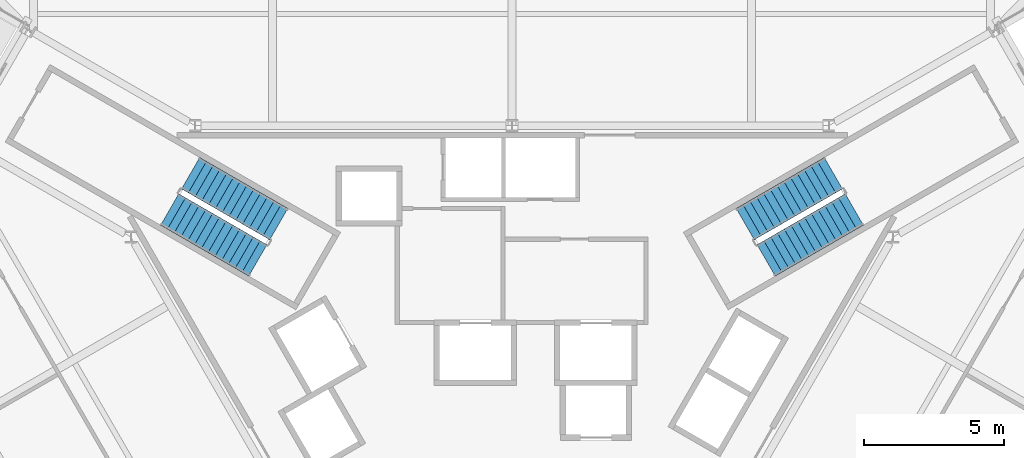
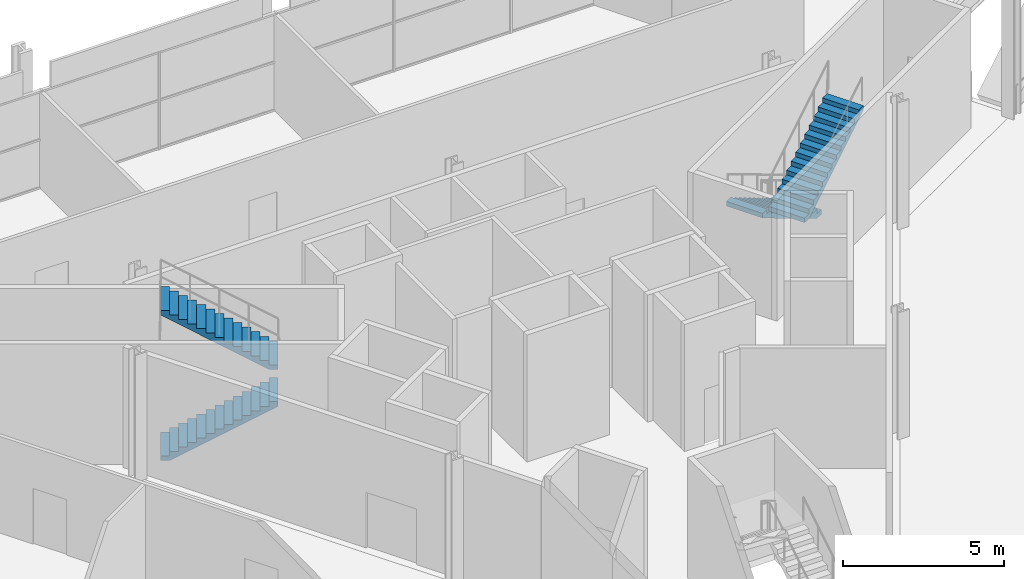
# One storey, part 15 of 18: 4 stair flights, 2 elements without a shape of their own.
"""IFC4 building model written with IfcOpenShell, lengths in metres."""

from ifc_helpers import new_model, si_unit, direction, frame, origin, place, context, subcontext, project, spatial, polyline, outline, extrude, material, type_object, element, aggregate, save


model = new_model("IFC4")

# Units and contexts
model_context = context("Model", 3, precision=1e-05, world=origin(), true_north=direction((0.0, 1.0)))
body_context = subcontext(model_context, "Body", "Model", "MODEL_VIEW")
ifc_project = project(units=[si_unit("LENGTHUNIT", "METRE"), si_unit("AREAUNIT", "SQUARE_METRE"), si_unit("VOLUMEUNIT", "CUBIC_METRE"), si_unit("PLANEANGLEUNIT", "RADIAN"), si_unit("MASSUNIT", "GRAM", prefix="KILO")], contexts=[model_context])

# Site, building, storey
site_placement = place(None, origin())
site = spatial("IfcSite", under=ifc_project, at=site_placement, CompositionType="ELEMENT")
building_placement = place(site_placement, origin())
building = spatial("IfcBuilding", under=site, at=building_placement, Name="Verrane Prism Tower", CompositionType="ELEMENT")
storey_placement = place(building_placement, frame((0.0, 0.0, 22.39990234375)))
storey = spatial("IfcBuildingStorey", under=building, at=storey_placement, Name="L03", CompositionType="ELEMENT", Elevation=22.39990234375)

# Stair, stair flights
ifc_material_1 = material(Name="Concrete C40/50", Category="concrete")
stair_type = type_object("IfcStairType", Name="Exit stair 1300 dog-leg precast concrete C40/50", PredefinedType="HALF_TURN_STAIR", material=ifc_material_1)
stair_1_placement = place(storey_placement, origin())
stair_1 = element("IfcStair", 1, at=stair_1_placement, inside=storey, type_object=stair_type, Name="Stair 1 L03", PredefinedType="HALF_TURN_STAIR")
ifc_material_2 = material(Name="Concrete C40/50", Category="concrete")
stair_flight_type = type_object("IfcStairFlightType", Name="Stair flight 1300 precast concrete C40/50", PredefinedType="STRAIGHT", material=ifc_material_2)
stair_flight_1_placement = place(storey_placement, frame((11.489501953125, 7.49951171875, 0.0), z_axis=(0.0, 0.0, 1.0), x_axis=(-0.866025403784, -0.5, 0.0)))
stair_flight_1 = element("IfcStairFlight", 2, at=stair_flight_1_placement, type_object=stair_flight_type, Name="Stair 1 flight 1", NumberOfRisers=14, NumberOfTreads=13, PredefinedType="STRAIGHT", RiserHeight=0.171428571, TreadLength=0.28, context=body_context, shape_type="SweptSolid", body=[
    extrude(outline(polyline([(0.0, 0.0), (0.0, 0.17138671875), (0.280029296875, 0.17138671875), (0.280029296875, 0.3427734375), (0.56005859375, 0.3427734375), (0.56005859375, 0.514404296875), (0.840087890625, 0.514404296875), (0.840087890625, 0.685791015625), (1.1201171875, 0.685791015625), (1.1201171875, 0.857177734375), (1.39990234375, 0.857177734375), (1.39990234375, 1.028564453125), (1.679931640625, 1.028564453125), (1.679931640625, 1.199951171875), (1.9599609375, 1.199951171875), (1.9599609375, 1.371337890625), (2.239990234375, 1.371337890625), (2.239990234375, 1.54296875), (2.52001953125, 1.54296875), (2.52001953125, 1.71435546875), (2.800048828125, 1.71435546875), (2.800048828125, 1.8857421875), (3.080078125, 1.8857421875), (3.080078125, 2.05712890625), (3.360107421875, 2.05712890625), (3.360107421875, 2.228515625), (3.639892578125, 2.228515625), (3.639892578125, 2.39990234375), (3.639892578125, 2.052734375), (0.287109375, 0.0), (0.0, 0.0)])), frame((0.0, 0.64990234375, 0.0), z_axis=(0.0, -1.0, 0.0), x_axis=(1.0, 0.0, 0.0)), (0.0, 0.0, 1.0), 1.300048828125),
])
stair_flight_2_placement = place(storey_placement, frame((9.087158203125, 4.38037109375, 2.400146484375), z_axis=(0.0, 0.0, 1.0), x_axis=(0.866025403784, 0.5, 0.0)))
stair_flight_2 = element("IfcStairFlight", 3, at=stair_flight_2_placement, type_object=stair_flight_type, Name="Stair 1 flight 2", NumberOfRisers=14, NumberOfTreads=13, PredefinedType="STRAIGHT", RiserHeight=0.171428571, TreadLength=0.28, context=body_context, shape_type="SweptSolid", body=[
    extrude(outline(polyline([(0.0, 0.0), (0.0, 0.17138671875), (0.280029296875, 0.17138671875), (0.280029296875, 0.3427734375), (0.56005859375, 0.3427734375), (0.56005859375, 0.514404296875), (0.840087890625, 0.514404296875), (0.840087890625, 0.685791015625), (1.1201171875, 0.685791015625), (1.1201171875, 0.857177734375), (1.39990234375, 0.857177734375), (1.39990234375, 1.028564453125), (1.679931640625, 1.028564453125), (1.679931640625, 1.199951171875), (1.9599609375, 1.199951171875), (1.9599609375, 1.371337890625), (2.239990234375, 1.371337890625), (2.239990234375, 1.54296875), (2.52001953125, 1.54296875), (2.52001953125, 1.71435546875), (2.800048828125, 1.71435546875), (2.800048828125, 1.8857421875), (3.080078125, 1.8857421875), (3.080078125, 2.05712890625), (3.360107421875, 2.05712890625), (3.360107421875, 2.228515625), (3.639892578125, 2.228515625), (3.639892578125, 2.39990234375), (3.639892578125, 2.052734375), (0.287109375, 0.0), (0.0, 0.0)])), frame((0.0, 0.64990234375, 0.0), z_axis=(0.0, -1.0, 0.0), x_axis=(1.0, 0.0, 0.0)), (0.0, 0.0, 1.0), 1.300048828125),
])
aggregate(stair_1, [stair_flight_1, stair_flight_2])

stair_2_placement = place(storey_placement, origin())
stair_2 = element("IfcStair", 4, at=stair_2_placement, inside=storey, type_object=stair_type, Name="Stair 2 L03", PredefinedType="HALF_TURN_STAIR")
stair_flight_3_placement = place(storey_placement, frame((-12.239501953125, 6.200439453125, 0.0), z_axis=(0.0, 0.0, 1.0), x_axis=(0.866025403784, -0.5, 0.0)))
stair_flight_3 = element("IfcStairFlight", 5, at=stair_flight_3_placement, type_object=stair_flight_type, Name="Stair 2 flight 1", NumberOfRisers=14, NumberOfTreads=13, PredefinedType="STRAIGHT", RiserHeight=0.171428571, TreadLength=0.28, context=body_context, shape_type="SweptSolid", body=[
    extrude(outline(polyline([(0.0, 0.0), (0.0, 0.17138671875), (0.280029296875, 0.17138671875), (0.280029296875, 0.3427734375), (0.56005859375, 0.3427734375), (0.56005859375, 0.514404296875), (0.840087890625, 0.514404296875), (0.840087890625, 0.685791015625), (1.1201171875, 0.685791015625), (1.1201171875, 0.857177734375), (1.39990234375, 0.857177734375), (1.39990234375, 1.028564453125), (1.679931640625, 1.028564453125), (1.679931640625, 1.199951171875), (1.9599609375, 1.199951171875), (1.9599609375, 1.371337890625), (2.239990234375, 1.371337890625), (2.239990234375, 1.54296875), (2.52001953125, 1.54296875), (2.52001953125, 1.71435546875), (2.800048828125, 1.71435546875), (2.800048828125, 1.8857421875), (3.080078125, 1.8857421875), (3.080078125, 2.05712890625), (3.360107421875, 2.05712890625), (3.360107421875, 2.228515625), (3.639892578125, 2.228515625), (3.639892578125, 2.39990234375), (3.639892578125, 2.052734375), (0.287109375, 0.0), (0.0, 0.0)])), frame((0.0, 0.64990234375, 0.0), z_axis=(0.0, -1.0, 0.0), x_axis=(1.0, 0.0, 0.0)), (0.0, 0.0, 1.0), 1.300048828125),
])
stair_flight_4_placement = place(storey_placement, frame((-8.337158203125, 5.679443359375, 2.400146484375), z_axis=(0.0, 0.0, 1.0), x_axis=(-0.866025403784, 0.5, 0.0)))
stair_flight_4 = element("IfcStairFlight", 6, at=stair_flight_4_placement, type_object=stair_flight_type, Name="Stair 2 flight 2", NumberOfRisers=14, NumberOfTreads=13, PredefinedType="STRAIGHT", RiserHeight=0.171428571, TreadLength=0.28, context=body_context, shape_type="SweptSolid", body=[
    extrude(outline(polyline([(0.0, 0.0), (0.0, 0.17138671875), (0.280029296875, 0.17138671875), (0.280029296875, 0.3427734375), (0.56005859375, 0.3427734375), (0.56005859375, 0.514404296875), (0.840087890625, 0.514404296875), (0.840087890625, 0.685791015625), (1.1201171875, 0.685791015625), (1.1201171875, 0.857177734375), (1.39990234375, 0.857177734375), (1.39990234375, 1.028564453125), (1.679931640625, 1.028564453125), (1.679931640625, 1.199951171875), (1.9599609375, 1.199951171875), (1.9599609375, 1.371337890625), (2.239990234375, 1.371337890625), (2.239990234375, 1.54296875), (2.52001953125, 1.54296875), (2.52001953125, 1.71435546875), (2.800048828125, 1.71435546875), (2.800048828125, 1.8857421875), (3.080078125, 1.8857421875), (3.080078125, 2.05712890625), (3.360107421875, 2.05712890625), (3.360107421875, 2.228515625), (3.639892578125, 2.228515625), (3.639892578125, 2.39990234375), (3.639892578125, 2.052734375), (0.287109375, 0.0), (0.0, 0.0)])), frame((0.0, 0.64990234375, 0.0), z_axis=(0.0, -1.0, 0.0), x_axis=(1.0, 0.0, 0.0)), (0.0, 0.0, 1.0), 1.300048828125),
])
aggregate(stair_2, [stair_flight_3, stair_flight_4])

save(model, "model.ifc")
